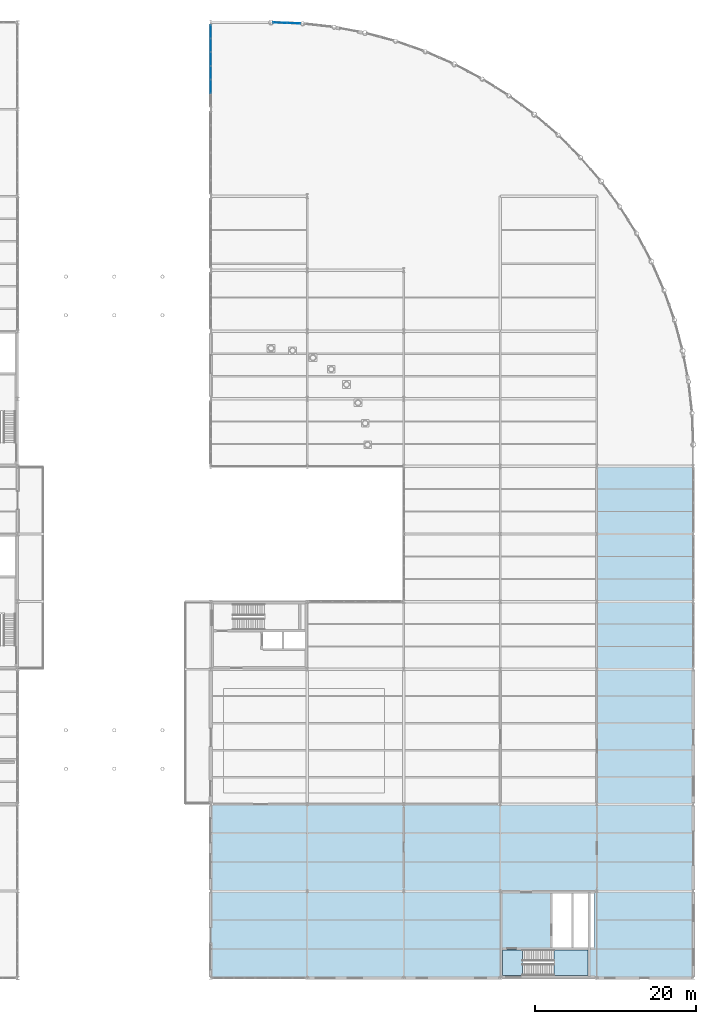
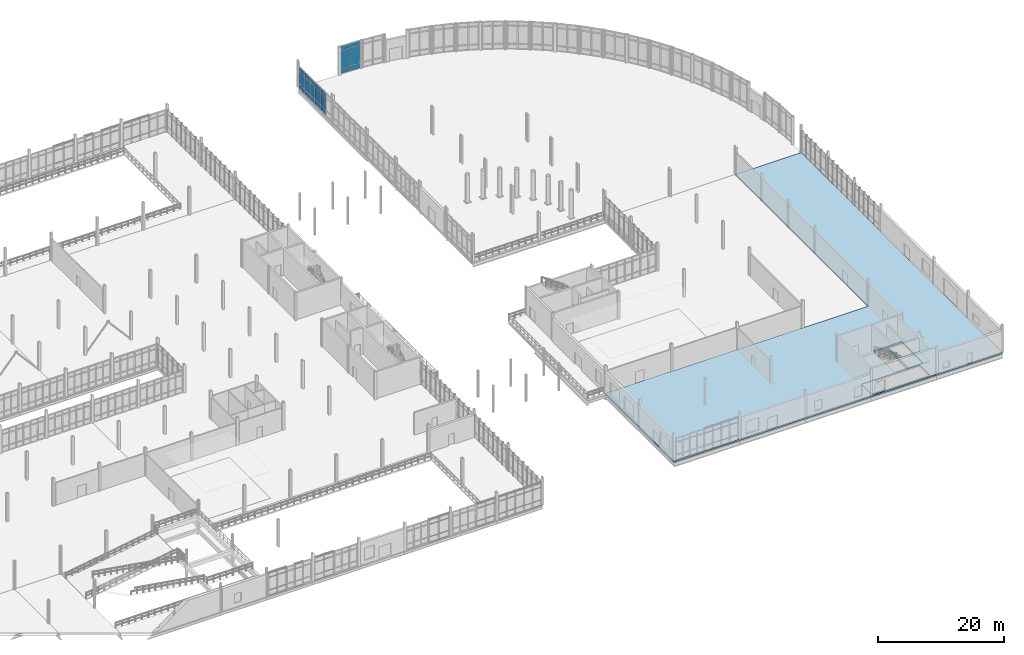
# One storey, part 89 of 111: 21 plates, 3 slabs, 3 elements without a shape of their own.
"""IFC4 building model written with IfcOpenShell, lengths in metres."""

from ifc_helpers import new_model, si_unit, direction, frame, origin, origin_2d, place, context, subcontext, project, spatial, polyline, rectangle, outline, extrude, material, layer, layer_set, type_object, element, aggregate, save


model = new_model("IFC4")

# Units and contexts
model_context = context("Model", 3, precision=1e-05, world=origin(), true_north=direction((0.0, 1.0)))
body_context = subcontext(model_context, "Body", "Model", "MODEL_VIEW")
ifc_project = project(units=[si_unit("LENGTHUNIT", "METRE"), si_unit("AREAUNIT", "SQUARE_METRE"), si_unit("VOLUMEUNIT", "CUBIC_METRE"), si_unit("PLANEANGLEUNIT", "RADIAN"), si_unit("MASSUNIT", "GRAM", prefix="KILO"), si_unit("THERMODYNAMICTEMPERATUREUNIT", "KELVIN"), si_unit("POWERUNIT", "WATT")], contexts=[model_context])

# Site, building, storey
site_placement = place(None, origin())
site = spatial("IfcSite", under=ifc_project, at=site_placement, CompositionType="ELEMENT")
building_placement = place(site_placement, origin())
building = spatial("IfcBuilding", under=site, at=building_placement, Name="Tembeka Court Mobility Hub", CompositionType="ELEMENT")
storey_placement = place(building_placement, origin())
storey = spatial("IfcBuildingStorey", under=building, at=storey_placement, Name="L00", CompositionType="ELEMENT", Elevation=0.0)

# Curtain wall, plates
ifc_material_1 = material(Name="Anodised aluminium 6063-T6", Category="aluminium")
ifc_layer_1 = layer(ifc_material_1, 0.199951171875)
ifc_layer_set_1 = layer_set([ifc_layer_1], Name="Anodised aluminium 6063-T6")
curtain_wall_type_1 = type_object("IfcCurtainWallType", Name="CW-SYS24", PredefinedType="USERDEFINED", material=ifc_layer_set_1)
curtain_wall_1_placement = place(storey_placement, origin())
curtain_wall_1 = element("IfcCurtainWall", 1, at=curtain_wall_1_placement, inside=storey, type_object=curtain_wall_type_1, Name="Unitised curtain wall CW24 (CW-L00-081)", ObjectType="UNITISED GLAZING", PredefinedType="USERDEFINED")
ifc_material_2 = material(Name="Laminated solar-control low-E glass", Category="glass")
ifc_layer_2 = layer(ifc_material_2, 0.028076171875)
ifc_layer_set_2 = layer_set([ifc_layer_2], Name="Laminated solar-control low-E glass")
plate_type = type_object("IfcPlateType", Name="PL-CW01", PredefinedType="CURTAIN_PANEL", material=ifc_layer_set_2)
plate_1_placement = place(storey_placement, frame((126.7138671875, 118.694580078125, 0.074951171875), z_axis=(0.0, 0.0, 1.0), x_axis=(-0.999300177968, 0.037405271186, 0.0)))
plate_1 = element("IfcPlate", 2, at=plate_1_placement, type_object=plate_type, Name="CW24 panel 1.1", PredefinedType="CURTAIN_PANEL", context=body_context, shape_type="SweptSolid", body=[
    extrude(rectangle(XDim=1.630615234375, YDim=0.028076171875, at=origin_2d()), origin(), (0.0, 0.0, 1.0), 0.9375),
])
plate_2_placement = place(storey_placement, frame((126.7138671875, 118.694580078125, 1.08740234375), z_axis=(0.0, 0.0, 1.0), x_axis=(-0.999300177968, 0.037405271186, 0.0)))
plate_2 = element("IfcPlate", 3, at=plate_2_placement, type_object=plate_type, Name="CW24 panel 1.2", PredefinedType="CURTAIN_PANEL", context=body_context, shape_type="SweptSolid", body=[
    extrude(rectangle(XDim=1.630615234375, YDim=0.028076171875, at=origin_2d()), origin(), (0.0, 0.0, 1.0), 3.425048828125),
])
plate_3_placement = place(storey_placement, frame((126.7138671875, 118.694580078125, 4.58740234375), z_axis=(0.0, 0.0, 1.0), x_axis=(-0.999300177968, 0.037405271186, 0.0)))
plate_3 = element("IfcPlate", 4, at=plate_3_placement, type_object=plate_type, Name="CW24 panel 1.3", PredefinedType="CURTAIN_PANEL", context=body_context, shape_type="SweptSolid", body=[
    extrude(rectangle(XDim=1.630615234375, YDim=0.028076171875, at=origin_2d()), origin(), (0.0, 0.0, 1.0), 0.737548828125),
])
plate_4_placement = place(storey_placement, frame((125.009521484375, 118.758544921875, 0.074951171875), z_axis=(0.0, 0.0, 1.0), x_axis=(-0.999300177968, 0.037405271186, 0.0)))
plate_4 = element("IfcPlate", 5, at=plate_4_placement, type_object=plate_type, Name="CW24 panel 2.1", PredefinedType="CURTAIN_PANEL", context=body_context, shape_type="SweptSolid", body=[
    extrude(rectangle(XDim=1.630615234375, YDim=0.028076171875, at=origin_2d()), origin(), (0.0, 0.0, 1.0), 0.9375),
])
plate_5_placement = place(storey_placement, frame((125.009521484375, 118.758544921875, 1.08740234375), z_axis=(0.0, 0.0, 1.0), x_axis=(-0.999300177968, 0.037405271186, 0.0)))
plate_5 = element("IfcPlate", 6, at=plate_5_placement, type_object=plate_type, Name="CW24 panel 2.2", PredefinedType="CURTAIN_PANEL", context=body_context, shape_type="SweptSolid", body=[
    extrude(rectangle(XDim=1.630615234375, YDim=0.028076171875, at=origin_2d()), origin(), (0.0, 0.0, 1.0), 3.425048828125),
])
plate_6_placement = place(storey_placement, frame((125.009521484375, 118.758544921875, 4.58740234375), z_axis=(0.0, 0.0, 1.0), x_axis=(-0.999300177968, 0.037405271186, 0.0)))
plate_6 = element("IfcPlate", 7, at=plate_6_placement, type_object=plate_type, Name="CW24 panel 2.3", PredefinedType="CURTAIN_PANEL", context=body_context, shape_type="SweptSolid", body=[
    extrude(rectangle(XDim=1.630615234375, YDim=0.028076171875, at=origin_2d()), origin(), (0.0, 0.0, 1.0), 0.737548828125),
])
aggregate(curtain_wall_1, [plate_1, plate_2, plate_3, plate_4, plate_5, plate_6])

ifc_layer_3 = layer(ifc_material_1, 0.159912109375)
ifc_layer_set_3 = layer_set([ifc_layer_3], Name="Anodised aluminium 6063-T6")
curtain_wall_type_2 = type_object("IfcCurtainWallType", Name="CW-SYS18", PredefinedType="USERDEFINED", material=ifc_layer_set_3)
curtain_wall_2_placement = place(storey_placement, origin())
curtain_wall_2 = element("IfcCurtainWall", 8, at=curtain_wall_2_placement, inside=storey, type_object=curtain_wall_type_2, Name="Unitised curtain wall CW18 (CW-L00-091)", ObjectType="UNITISED GLAZING", PredefinedType="USERDEFINED")
plate_7_placement = place(storey_placement, frame((116.39990234375, 110.840087890625, 0.074951171875), z_axis=(0.0, 0.0, 1.0), x_axis=(0.0, 1.0, 0.0)))
plate_7 = element("IfcPlate", 9, at=plate_7_placement, type_object=plate_type, Name="CW18 panel 2.1", PredefinedType="CURTAIN_PANEL", context=body_context, shape_type="SweptSolid", body=[
    extrude(rectangle(XDim=1.631591796875, YDim=0.028076171875, at=origin_2d()), origin(), (0.0, 0.0, 1.0), 0.9375),
])
plate_8_placement = place(storey_placement, frame((116.39990234375, 110.840087890625, 1.08740234375), z_axis=(0.0, 0.0, 1.0), x_axis=(0.0, 1.0, 0.0)))
plate_8 = element("IfcPlate", 10, at=plate_8_placement, type_object=plate_type, Name="CW18 panel 2.2", PredefinedType="CURTAIN_PANEL", context=body_context, shape_type="SweptSolid", body=[
    extrude(rectangle(XDim=1.631591796875, YDim=0.028076171875, at=origin_2d()), origin(), (0.0, 0.0, 1.0), 2.360107421875),
])
plate_9_placement = place(storey_placement, frame((116.39990234375, 110.840087890625, 3.5224609375), z_axis=(0.0, 0.0, 1.0), x_axis=(0.0, 1.0, 0.0)))
plate_9 = element("IfcPlate", 11, at=plate_9_placement, type_object=plate_type, Name="CW18 panel 2.3", PredefinedType="CURTAIN_PANEL", context=body_context, shape_type="SweptSolid", body=[
    extrude(rectangle(XDim=1.631591796875, YDim=0.028076171875, at=origin_2d()), origin(), (0.0, 0.0, 1.0), 0.737548828125),
])
plate_10_placement = place(storey_placement, frame((116.39990234375, 112.546630859375, 0.074951171875), z_axis=(0.0, 0.0, 1.0), x_axis=(0.0, 1.0, 0.0)))
plate_10 = element("IfcPlate", 12, at=plate_10_placement, type_object=plate_type, Name="CW18 panel 3.1", PredefinedType="CURTAIN_PANEL", context=body_context, shape_type="SweptSolid", body=[
    extrude(rectangle(XDim=1.631591796875, YDim=0.028076171875, at=origin_2d()), origin(), (0.0, 0.0, 1.0), 0.9375),
])
plate_11_placement = place(storey_placement, frame((116.39990234375, 112.546630859375, 1.08740234375), z_axis=(0.0, 0.0, 1.0), x_axis=(0.0, 1.0, 0.0)))
plate_11 = element("IfcPlate", 13, at=plate_11_placement, type_object=plate_type, Name="CW18 panel 3.2", PredefinedType="CURTAIN_PANEL", context=body_context, shape_type="SweptSolid", body=[
    extrude(rectangle(XDim=1.631591796875, YDim=0.028076171875, at=origin_2d()), origin(), (0.0, 0.0, 1.0), 2.360107421875),
])
plate_12_placement = place(storey_placement, frame((116.39990234375, 112.546630859375, 3.5224609375), z_axis=(0.0, 0.0, 1.0), x_axis=(0.0, 1.0, 0.0)))
plate_12 = element("IfcPlate", 14, at=plate_12_placement, type_object=plate_type, Name="CW18 panel 3.3", PredefinedType="CURTAIN_PANEL", context=body_context, shape_type="SweptSolid", body=[
    extrude(rectangle(XDim=1.631591796875, YDim=0.028076171875, at=origin_2d()), origin(), (0.0, 0.0, 1.0), 0.737548828125),
])
plate_13_placement = place(storey_placement, frame((116.39990234375, 114.25341796875, 0.074951171875), z_axis=(0.0, 0.0, 1.0), x_axis=(0.0, 1.0, 0.0)))
plate_13 = element("IfcPlate", 15, at=plate_13_placement, type_object=plate_type, Name="CW18 panel 4.1", PredefinedType="CURTAIN_PANEL", context=body_context, shape_type="SweptSolid", body=[
    extrude(rectangle(XDim=1.631591796875, YDim=0.028076171875, at=origin_2d()), origin(), (0.0, 0.0, 1.0), 0.9375),
])
plate_14_placement = place(storey_placement, frame((116.39990234375, 114.25341796875, 1.08740234375), z_axis=(0.0, 0.0, 1.0), x_axis=(0.0, 1.0, 0.0)))
plate_14 = element("IfcPlate", 16, at=plate_14_placement, type_object=plate_type, Name="CW18 panel 4.2", PredefinedType="CURTAIN_PANEL", context=body_context, shape_type="SweptSolid", body=[
    extrude(rectangle(XDim=1.631591796875, YDim=0.028076171875, at=origin_2d()), origin(), (0.0, 0.0, 1.0), 2.360107421875),
])
plate_15_placement = place(storey_placement, frame((116.39990234375, 114.25341796875, 3.5224609375), z_axis=(0.0, 0.0, 1.0), x_axis=(0.0, 1.0, 0.0)))
plate_15 = element("IfcPlate", 17, at=plate_15_placement, type_object=plate_type, Name="CW18 panel 4.3", PredefinedType="CURTAIN_PANEL", context=body_context, shape_type="SweptSolid", body=[
    extrude(rectangle(XDim=1.631591796875, YDim=0.028076171875, at=origin_2d()), origin(), (0.0, 0.0, 1.0), 0.737548828125),
])
plate_16_placement = place(storey_placement, frame((116.39990234375, 115.9599609375, 0.074951171875), z_axis=(0.0, 0.0, 1.0), x_axis=(0.0, 1.0, 0.0)))
plate_16 = element("IfcPlate", 18, at=plate_16_placement, type_object=plate_type, Name="CW18 panel 5.1", PredefinedType="CURTAIN_PANEL", context=body_context, shape_type="SweptSolid", body=[
    extrude(rectangle(XDim=1.631591796875, YDim=0.028076171875, at=origin_2d()), origin(), (0.0, 0.0, 1.0), 0.9375),
])
plate_17_placement = place(storey_placement, frame((116.39990234375, 115.9599609375, 1.08740234375), z_axis=(0.0, 0.0, 1.0), x_axis=(0.0, 1.0, 0.0)))
plate_17 = element("IfcPlate", 19, at=plate_17_placement, type_object=plate_type, Name="CW18 panel 5.2", PredefinedType="CURTAIN_PANEL", context=body_context, shape_type="SweptSolid", body=[
    extrude(rectangle(XDim=1.631591796875, YDim=0.028076171875, at=origin_2d()), origin(), (0.0, 0.0, 1.0), 2.360107421875),
])
plate_18_placement = place(storey_placement, frame((116.39990234375, 115.9599609375, 3.5224609375), z_axis=(0.0, 0.0, 1.0), x_axis=(0.0, 1.0, 0.0)))
plate_18 = element("IfcPlate", 20, at=plate_18_placement, type_object=plate_type, Name="CW18 panel 5.3", PredefinedType="CURTAIN_PANEL", context=body_context, shape_type="SweptSolid", body=[
    extrude(rectangle(XDim=1.631591796875, YDim=0.028076171875, at=origin_2d()), origin(), (0.0, 0.0, 1.0), 0.737548828125),
])
plate_19_placement = place(storey_placement, frame((116.39990234375, 117.64794921875, 0.074951171875), z_axis=(0.0, 0.0, 1.0), x_axis=(0.0, 1.0, 0.0)))
plate_19 = element("IfcPlate", 21, at=plate_19_placement, type_object=plate_type, Name="CW18 panel 6.1", PredefinedType="CURTAIN_PANEL", context=body_context, shape_type="SweptSolid", body=[
    extrude(rectangle(XDim=1.59423828125, YDim=0.028076171875, at=origin_2d()), origin(), (0.0, 0.0, 1.0), 0.9375),
])
plate_20_placement = place(storey_placement, frame((116.39990234375, 117.64794921875, 1.08740234375), z_axis=(0.0, 0.0, 1.0), x_axis=(0.0, 1.0, 0.0)))
plate_20 = element("IfcPlate", 22, at=plate_20_placement, type_object=plate_type, Name="CW18 panel 6.2", PredefinedType="CURTAIN_PANEL", context=body_context, shape_type="SweptSolid", body=[
    extrude(rectangle(XDim=1.59423828125, YDim=0.028076171875, at=origin_2d()), origin(), (0.0, 0.0, 1.0), 2.360107421875),
])
plate_21_placement = place(storey_placement, frame((116.39990234375, 117.64794921875, 3.5224609375), z_axis=(0.0, 0.0, 1.0), x_axis=(0.0, 1.0, 0.0)))
plate_21 = element("IfcPlate", 23, at=plate_21_placement, type_object=plate_type, Name="CW18 panel 6.3", PredefinedType="CURTAIN_PANEL", context=body_context, shape_type="SweptSolid", body=[
    extrude(rectangle(XDim=1.59423828125, YDim=0.028076171875, at=origin_2d()), origin(), (0.0, 0.0, 1.0), 0.737548828125),
])
aggregate(curtain_wall_2, [plate_7, plate_8, plate_9, plate_10, plate_11, plate_12, plate_13, plate_14, plate_15, plate_16, plate_17, plate_18, plate_19, plate_20, plate_21])

# Slabs
ifc_material_3 = material(Name="Concrete C40/50", Category="concrete")
ifc_layer_4 = layer(ifc_material_3, 0.280029296875)
ifc_layer_set_4 = layer_set([ifc_layer_4], Name="Concrete C40/50")
slab_type_1 = type_object("IfcSlabType", Name="SL-FL01", PredefinedType="FLOOR", material=ifc_layer_set_4)
slab_1_placement = place(storey_placement, frame((0.0, 0.0, -0.280029296875)))
element("IfcSlab", 24, at=slab_1_placement, inside=storey, type_object=slab_type_1, Name="L00 mobility service centre and retail slab", PredefinedType="FLOOR", context=body_context, shape_type="SweptSolid", body=[
    extrude(outline(polyline([(116.39990234375, 0.0), (176.39990234375, 0.0), (176.39990234375, 63.60009765625), (164.39990234375, 63.60009765625), (164.39990234375, 21.60009765625), (116.39990234375, 21.60009765625), (116.39990234375, 0.0)]), holes=[polyline([(152.699951171875, 3.5), (163.300048828125, 3.5), (163.300048828125, 0.300048828125), (152.699951171875, 0.300048828125), (152.699951171875, 3.5)]), polyline([(158.89990234375, 10.5), (161.300048828125, 10.5), (161.300048828125, 3.800048828125), (158.89990234375, 3.800048828125), (158.89990234375, 10.5)]), polyline([(161.5, 10.5), (164.10009765625, 10.5), (164.10009765625, 3.800048828125), (161.5, 3.800048828125), (161.5, 10.5)])]), origin(), (0.0, 0.0, 1.0), 0.280029296875),
])
ifc_layer_5 = layer(ifc_material_3, 0.199951171875)
ifc_layer_set_5 = layer_set([ifc_layer_5], Name="Concrete C40/50")
slab_type_2 = type_object("IfcSlabType", Name="SL-LD01", PredefinedType="LANDING", material=ifc_layer_set_5)
slab_2_placement = place(storey_placement, frame((0.0, 0.0, -0.25)))
element("IfcSlab", 25, at=slab_2_placement, inside=storey, type_object=slab_type_2, Name="Stair ST06 L00 floor landing slab", PredefinedType="LANDING", context=body_context, shape_type="SweptSolid", body=[
    extrude(outline(polyline([(152.699951171875, 0.300048828125), (155.14990234375, 0.300048828125), (155.14990234375, 3.5), (152.699951171875, 3.5), (152.699951171875, 0.300048828125)])), origin(), (0.0, 0.0, 1.0), 0.25),
])

# Stair, slab
stair_type = type_object("IfcStairType", Name="STR-ST06L00", PredefinedType="HALF_TURN_STAIR", material=ifc_material_3)
stair_placement = place(storey_placement, origin())
stair = element("IfcStair", 26, at=stair_placement, inside=storey, type_object=stair_type, Name="Protected exit stair ST06 (L00)", PredefinedType="HALF_TURN_STAIR")
slab_3_placement = place(storey_placement, frame((0.0, 0.0, 2.5)))
slab_3 = element("IfcSlab", 27, at=slab_3_placement, type_object=slab_type_2, Name="ST06L00 landing 1", PredefinedType="LANDING", context=body_context, shape_type="SweptSolid", body=[
    extrude(outline(polyline([(159.070068359375, 0.300048828125), (163.300048828125, 0.300048828125), (163.300048828125, 3.5), (159.070068359375, 3.5), (159.070068359375, 0.300048828125)])), origin(), (0.0, 0.0, 1.0), 0.199951171875),
])
aggregate(stair, [slab_3])

save(model, "model.ifc")
